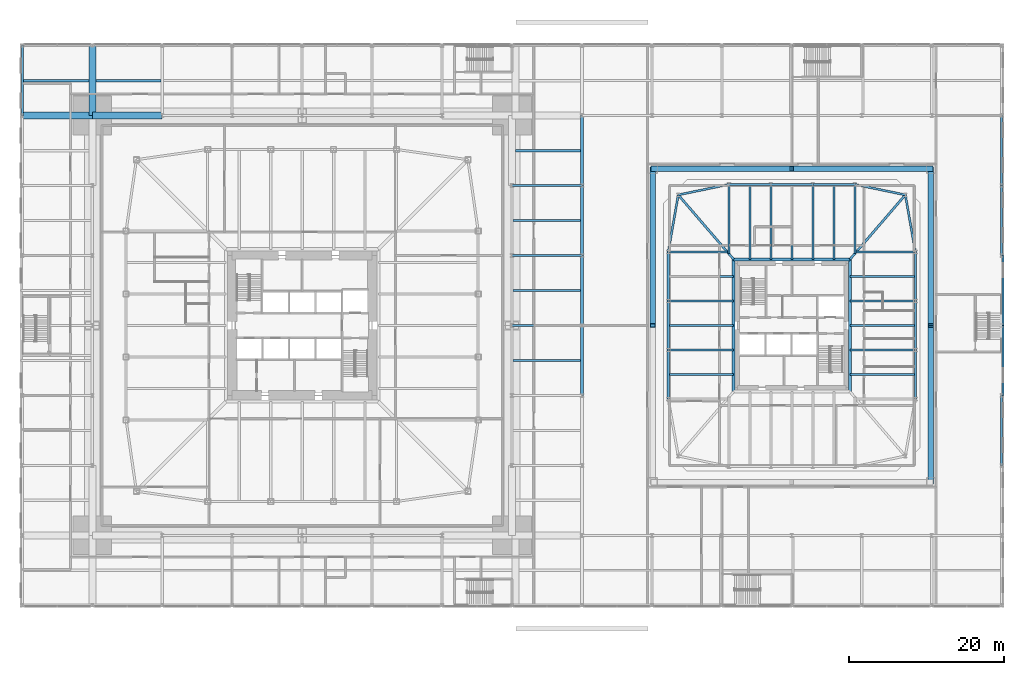
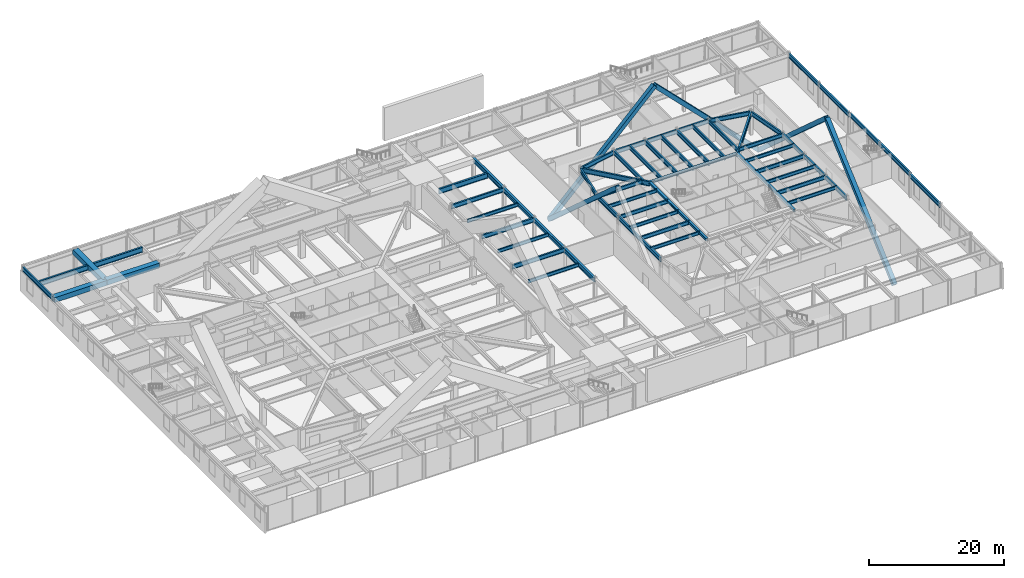
# One storey, part 13 of 32: 59 beams, 5 members.
"""IFC4 building model written with IfcOpenShell, lengths in metres."""

from ifc_helpers import new_model, si_unit, direction, frame, origin, origin_2d, place, context, subcontext, project, spatial, hollow_rectangle, i_section, extrude, material, material_profile, profile_set, type_object, element, save


model = new_model("IFC4")

# Units and contexts
model_context = context("Model", 3, precision=1e-05, world=origin(), true_north=direction((0.0, 1.0)))
body_context = subcontext(model_context, "Body", "Model", "MODEL_VIEW")
ifc_project = project(units=[si_unit("LENGTHUNIT", "METRE"), si_unit("AREAUNIT", "SQUARE_METRE"), si_unit("VOLUMEUNIT", "CUBIC_METRE"), si_unit("PLANEANGLEUNIT", "RADIAN"), si_unit("MASSUNIT", "GRAM", prefix="KILO")], contexts=[model_context])

# Site, building, storey
site_placement = place(None, origin())
site = spatial("IfcSite", under=ifc_project, at=site_placement, CompositionType="ELEMENT")
building_placement = place(site_placement, origin())
building = spatial("IfcBuilding", under=site, at=building_placement, Name="Iwan Alto Co-Living Towers", CompositionType="ELEMENT")
storey_placement = place(building_placement, frame((0.0, 0.0, 6.0)))
storey = spatial("IfcBuildingStorey", under=building, at=storey_placement, Name="L01", CompositionType="ELEMENT", Elevation=6.0)

# Beams
ifc_material_1 = material(Name="Steel ASTM A992 Gr 50", Category="steel")
ifc_material_profile_1 = material_profile(ifc_material_1, i_section(OverallWidth=0.2666015625, OverallDepth=0.76953125, WebThickness=0.015625, FlangeThickness=0.025390625, at=origin_2d()), Name="W30X132")
ifc_profile_set_1 = profile_set([ifc_material_profile_1], Name="Steel ASTM A992 Gr 50")
beam_type_1 = type_object("IfcBeamType", Name="PODIUM BEAM W30X132", PredefinedType="BEAM", material=ifc_profile_set_1)
for number, where, z_axis, x_axis, name in (
    (1, (-36.0, 27.0, 3.865234375), (0.0, 1.0, 0.0), (-1.0, 0.0, 0.0), "Podium beam 1/H-1/I L02"),
    (2, (27.0, 0.0, 3.865234375), (1.0, 0.0, 0.0), (0.0, 1.0, 0.0), "Podium beam 8/E-9/E L02"),
    (3, (27.0, 9.0, 3.865234375), (1.0, 0.0, 0.0), (0.0, 1.0, 0.0), "Podium beam 8/F-9/F L02"),
    (4, (27.0, 18.0, 3.865234375), (1.0, 0.0, 0.0), (0.0, 1.0, 0.0), "Podium beam 8/G-9/G L02"),
    (5, (90.0, -18.0, 3.865234375), (0.0, 1.0, 0.0), (-1.0, 0.0, 0.0), "Podium beam 15/C-15/D L02"),
    (6, (90.1533203125, -9.0, 3.865234375), (0.0, 1.0, 0.0), (-1.0, 0.0, 0.0), "Podium beam 15/D-15/E L02"),
    (7, (90.1533203125, 0.0, 3.865234375), (0.0, 1.0, 0.0), (-1.0, 0.0, 0.0), "Podium beam 15/E-15/F L02"),
    (8, (90.0, 9.0, 3.865234375), (0.0, 1.0, 0.0), (-1.0, 0.0, 0.0), "Podium beam 15/F-15/G L02"),
    (9, (90.0, 18.0, 3.865234375), (0.0, 1.0, 0.0), (-1.0, 0.0, 0.0), "Podium beam 15/G-15/H L02"),
):
    element("IfcBeam", number, at=place(storey_placement, frame(where, z_axis=z_axis, x_axis=x_axis)), inside=storey, type_object=beam_type_1, Name=name, PredefinedType="BEAM", context=body_context, shape_type="SweptSolid", body=[
        extrude(i_section(OverallWidth=0.2666015625, OverallDepth=0.76953125, WebThickness=0.015625, FlangeThickness=0.025390625, at=origin_2d()), origin(), (0.0, 0.0, 1.0), 9.0),
    ])
ifc_material_2 = material(Name="Steel ASTM A992 Gr 50", Category="steel")
ifc_material_profile_2 = material_profile(ifc_material_2, i_section(OverallWidth=0.381103515625, OverallDepth=0.772216796875, WebThickness=0.0166015625, FlangeThickness=0.027099609375, at=origin_2d()), Name="W30X173")
ifc_profile_set_2 = profile_set([ifc_material_profile_2], Name="Steel ASTM A992 Gr 50")
beam_type_2 = type_object("IfcBeamType", Name="PODIUM JOINT BEAM W30X173", PredefinedType="BEAM", material=ifc_profile_set_2)
for number, where, z_axis, x_axis, name in (
    (10, (36.0, -9.0, 3.864013671875), (0.0, 1.0, 0.0), (-1.0, 0.0, 0.0), "Podium beam 9/D-9/E L02"),
    (11, (36.0, 0.0, 3.864013671875), (0.0, 1.0, 0.0), (-1.0, 0.0, 0.0), "Podium beam 9/E-9/F L02"),
    (12, (36.0, 9.0, 3.864013671875), (0.0, 1.0, 0.0), (-1.0, 0.0, 0.0), "Podium beam 9/F-9/G L02"),
    (13, (36.0, 18.0, 3.864013671875), (0.0, 1.0, 0.0), (-1.0, 0.0, 0.0), "Podium beam 9/G-9/H L02"),
):
    element("IfcBeam", number, at=place(storey_placement, frame(where, z_axis=z_axis, x_axis=x_axis)), inside=storey, type_object=beam_type_2, Name=name, PredefinedType="BEAM", context=body_context, shape_type="SweptSolid", body=[
        extrude(i_section(OverallWidth=0.381103515625, OverallDepth=0.772216796875, WebThickness=0.0166015625, FlangeThickness=0.027099609375, at=origin_2d()), origin(), (0.0, 0.0, 1.0), 9.0),
    ])
ifc_material_3 = material(Name="Steel ASTM A992 Gr 50", Category="steel")
ifc_material_profile_3 = material_profile(ifc_material_3, i_section(OverallWidth=0.307373046875, OverallDepth=0.927001953125, WebThickness=0.01953125, FlangeThickness=0.031982421875, at=origin_2d()), Name="W36X194")
ifc_profile_set_3 = profile_set([ifc_material_profile_3], Name="Steel ASTM A992 Gr 50")
beam_type_3 = type_object("IfcBeamType", Name="PODIUM PIER BAY SECONDARY BEAM W36X194", PredefinedType="JOIST", material=ifc_profile_set_3)
for number, where, z_axis, x_axis, name in (
    (14, (-35.86669921875, 31.5, 3.786376953125), (1.0, 0.0, 0.0), (0.0, 1.0, 0.0), "Podium secondary beam 1/H L02"),
    (15, (-26.550048828125, 31.5, 3.786376953125), (1.0, 0.0, 0.0), (0.0, 1.0, 0.0), "Podium secondary beam 2/H L02"),
):
    element("IfcBeam", number, at=place(storey_placement, frame(where, z_axis=z_axis, x_axis=x_axis)), inside=storey, type_object=beam_type_3, Name=name, PredefinedType="JOIST", context=body_context, shape_type="SweptSolid", body=[
        extrude(i_section(OverallWidth=0.307373046875, OverallDepth=0.927001953125, WebThickness=0.01953125, FlangeThickness=0.031982421875, at=origin_2d()), origin(), (0.0, 0.0, 1.0), 8.416748046875),
    ])
beam_1_placement = place(storey_placement, frame((27.449951171875, 22.5, 3.786376953125), z_axis=(1.0, 0.0, 0.0), x_axis=(0.0, 1.0, 0.0)))
element("IfcBeam", 16, at=beam_1_placement, inside=storey, type_object=beam_type_3, Name="Podium secondary beam 8/G L02", PredefinedType="JOIST", context=body_context, shape_type="SweptSolid", body=[
    extrude(i_section(OverallWidth=0.307373046875, OverallDepth=0.927001953125, WebThickness=0.01953125, FlangeThickness=0.031982421875, at=origin_2d()), origin(), (0.0, 0.0, 1.0), 8.359619140625),
])
ifc_material_4 = material(Name="Steel ASTM A572 Gr 50", Category="steel")
ifc_material_profile_4 = material_profile(ifc_material_4, hollow_rectangle(XDim=0.89990234375, YDim=0.89990234375, WallThickness=0.06005859375, at=origin_2d()), Name="BOX 900X900X60")
ifc_profile_set_4 = profile_set([ifc_material_profile_4], Name="Steel ASTM A572 Gr 50")
beam_type_4 = type_object("IfcBeamType", Name="PODIUM PIER BEAM BOX 900X900X60", PredefinedType="BEAM", material=ifc_profile_set_4)
for number, where, z_axis, x_axis, name in (
    (17, (-36.0, 27.0, 3.800048828125), (1.0, 0.0, 0.0), (0.0, 1.0, 0.0), "Podium beam 1/H-2/H L02"),
    (18, (-27.0, 27.0, 3.800048828125), (1.0, 0.0, 0.0), (0.0, 1.0, 0.0), "Podium beam 2/H-3/H L02"),
    (19, (-27.0, 27.0, 3.800048828125), (0.0, 1.0, 0.0), (-1.0, 0.0, 0.0), "Podium beam 2/H-2/I L02"),
):
    element("IfcBeam", number, at=place(storey_placement, frame(where, z_axis=z_axis, x_axis=x_axis)), inside=storey, type_object=beam_type_4, Name=name, PredefinedType="BEAM", context=body_context, shape_type="SweptSolid", body=[
        extrude(hollow_rectangle(XDim=0.89990234375, YDim=0.89990234375, WallThickness=0.06005859375, at=origin_2d()), origin(), (0.0, 0.0, 1.0), 9.0),
    ])
ifc_material_5 = material(Name="Steel ASTM A992 Gr 50", Category="steel")
ifc_material_profile_5 = material_profile(ifc_material_5, i_section(OverallWidth=0.23046875, OverallDepth=0.6171875, WebThickness=0.01318359375, FlangeThickness=0.022216796875, at=origin_2d()), Name="W24X94")
ifc_profile_set_5 = profile_set([ifc_material_profile_5], Name="Steel ASTM A992 Gr 50")
beam_type_5 = type_object("IfcBeamType", Name="PODIUM SECONDARY BEAM W24X94", PredefinedType="JOIST", material=ifc_profile_set_5)
for number, where, z_axis, x_axis, name in (
    (20, (27.13330078125, -4.5, 3.94140625), (1.0, 0.0, 0.0), (0.0, 1.0, 0.0), "Podium secondary beam 8/D L02"),
    (21, (27.13330078125, 4.5, 3.94140625), (1.0, 0.0, 0.0), (0.0, 1.0, 0.0), "Podium secondary beam 8/E L02"),
    (22, (27.13330078125, 13.5, 3.94140625), (1.0, 0.0, 0.0), (0.0, 1.0, 0.0), "Podium secondary beam 8/F L02"),
):
    element("IfcBeam", number, at=place(storey_placement, frame(where, z_axis=z_axis, x_axis=x_axis)), inside=storey, type_object=beam_type_5, Name=name, PredefinedType="JOIST", context=body_context, shape_type="SweptSolid", body=[
        extrude(i_section(OverallWidth=0.23046875, OverallDepth=0.6171875, WebThickness=0.01318359375, FlangeThickness=0.022216796875, at=origin_2d()), origin(), (0.0, 0.0, 1.0), 8.67626953125),
    ])
ifc_material_6 = material(Name="Steel ASTM A992 Gr 50", Category="steel")
ifc_material_profile_6 = material_profile(ifc_material_6, i_section(OverallWidth=0.40380859375, OverallDepth=0.406494140625, WebThickness=0.027099609375, FlangeThickness=0.043701171875, at=origin_2d()), Name="W14X233")
ifc_profile_set_6 = profile_set([ifc_material_profile_6], Name="Steel ASTM A992 Gr 50")
beam_type_6 = type_object("IfcBeamType", Name="T2 CORE LEDGER BEAM W14X233", PredefinedType="BEAM", material=ifc_profile_set_6)
beam_2_placement = place(storey_placement, frame((70.501953125, -8.534912109375, 4.046875), z_axis=(0.0, 1.0, 0.0), x_axis=(-1.0, 0.0, 0.0)))
element("IfcBeam", 23, at=beam_2_placement, inside=storey, type_object=beam_type_6, Name="T2 core ledger beam E L02", PredefinedType="BEAM", context=body_context, shape_type="SweptSolid", body=[
    extrude(i_section(OverallWidth=0.40380859375, OverallDepth=0.406494140625, WebThickness=0.027099609375, FlangeThickness=0.043701171875, at=origin_2d()), origin(), (0.0, 0.0, 1.0), 17.06982421875),
])
beam_3_placement = place(storey_placement, frame((70.4736328125, 8.501953125, 4.046875), z_axis=(-1.0, 0.0, 0.0), x_axis=(0.0, -1.0, 0.0)))
element("IfcBeam", 24, at=beam_3_placement, inside=storey, type_object=beam_type_6, Name="T2 core ledger beam N L02", PredefinedType="BEAM", context=body_context, shape_type="SweptSolid", body=[
    extrude(i_section(OverallWidth=0.40380859375, OverallDepth=0.406494140625, WebThickness=0.027099609375, FlangeThickness=0.043701171875, at=origin_2d()), origin(), (0.0, 0.0, 1.0), 14.947265625),
])
beam_4_placement = place(storey_placement, frame((55.498046875, 8.534912109375, 4.046875), z_axis=(0.0, -1.0, 0.0), x_axis=(1.0, 0.0, 0.0)))
element("IfcBeam", 25, at=beam_4_placement, inside=storey, type_object=beam_type_6, Name="T2 core ledger beam W L02", PredefinedType="BEAM", context=body_context, shape_type="SweptSolid", body=[
    extrude(i_section(OverallWidth=0.40380859375, OverallDepth=0.406494140625, WebThickness=0.027099609375, FlangeThickness=0.043701171875, at=origin_2d()), origin(), (0.0, 0.0, 1.0), 17.06982421875),
])
ifc_material_7 = material(Name="Steel ASTM A992 Gr 50", Category="steel")
ifc_material_profile_7 = material_profile(ifc_material_7, i_section(OverallWidth=0.2919921875, OverallDepth=0.8408203125, WebThickness=0.0146484375, FlangeThickness=0.021728515625, at=origin_2d()), Name="W33X130")
ifc_profile_set_7 = profile_set([ifc_material_profile_7], Name="Steel ASTM A992 Gr 50")
beam_type_7 = type_object("IfcBeamType", Name="T2 CORNER GIRDER W33X130", PredefinedType="BEAM", material=ifc_profile_set_7)
for number, where, z_axis, x_axis, name in (
    (26, (77.606201171875, 16.797119140625, 3.82958984375), (-0.651972301827, -0.758242782788, 0.0), (0.758242782788, -0.651972301827, 0.0), "T2 corner girder CNE L02"),
    (27, (48.393798828125, 16.797119140625, 3.82958984375), (0.651972301827, -0.758242782788, 0.0), (0.758242782788, 0.651972301827, 0.0), "T2 corner girder CNW L02"),
):
    element("IfcBeam", number, at=place(storey_placement, frame(where, z_axis=z_axis, x_axis=x_axis)), inside=storey, type_object=beam_type_7, Name=name, PredefinedType="BEAM", context=body_context, shape_type="SweptSolid", body=[
        extrude(i_section(OverallWidth=0.2919921875, OverallDepth=0.8408203125, WebThickness=0.0146484375, FlangeThickness=0.021728515625, at=origin_2d()), origin(), (0.0, 0.0, 1.0), 10.93994140625),
    ])
ifc_material_8 = material(Name="Steel ASTM A992 Gr 50", Category="steel")
ifc_material_profile_8 = material_profile(ifc_material_8, i_section(OverallWidth=0.2666015625, OverallDepth=0.761962890625, WebThickness=0.014404296875, FlangeThickness=0.021484375, at=origin_2d()), Name="W30X116")
ifc_profile_set_8 = profile_set([ifc_material_profile_8], Name="Steel ASTM A992 Gr 50")
beam_type_8 = type_object("IfcBeamType", Name="T2 EDGE BEAM W30X116", PredefinedType="BEAM", material=ifc_profile_set_8)
beam_5_placement = place(storey_placement, frame((78.89990234375, -9.449951171875, 3.868896484375), z_axis=(0.0, 1.0, 0.0), x_axis=(-1.0, 0.0, 0.0)))
element("IfcBeam", 28, at=beam_5_placement, inside=storey, type_object=beam_type_8, Name="T2 edge beam E1 L02", PredefinedType="BEAM", context=body_context, shape_type="SweptSolid", body=[
    extrude(i_section(OverallWidth=0.2666015625, OverallDepth=0.761962890625, WebThickness=0.014404296875, FlangeThickness=0.021484375, at=origin_2d()), origin(), (0.0, 0.0, 1.0), 6.300048828125),
])
beam_6_placement = place(storey_placement, frame((78.89990234375, -3.14990234375, 3.868896484375), z_axis=(0.0, 1.0, 0.0), x_axis=(-1.0, 0.0, 0.0)))
element("IfcBeam", 29, at=beam_6_placement, inside=storey, type_object=beam_type_8, Name="T2 edge beam E2 L02", PredefinedType="BEAM", context=body_context, shape_type="SweptSolid", body=[
    extrude(i_section(OverallWidth=0.2666015625, OverallDepth=0.761962890625, WebThickness=0.014404296875, FlangeThickness=0.021484375, at=origin_2d()), origin(), (0.0, 0.0, 1.0), 6.2998046875),
])
beam_7_placement = place(storey_placement, frame((78.89990234375, 3.14990234375, 3.868896484375), z_axis=(0.0, 1.0, 0.0), x_axis=(-1.0, 0.0, 0.0)))
element("IfcBeam", 30, at=beam_7_placement, inside=storey, type_object=beam_type_8, Name="T2 edge beam E3 L02", PredefinedType="BEAM", context=body_context, shape_type="SweptSolid", body=[
    extrude(i_section(OverallWidth=0.2666015625, OverallDepth=0.761962890625, WebThickness=0.014404296875, FlangeThickness=0.021484375, at=origin_2d()), origin(), (0.0, 0.0, 1.0), 6.300048828125),
])
beam_8_placement = place(storey_placement, frame((78.89990234375, 9.449951171875, 3.868896484375), z_axis=(-0.173413807283, 0.98484905008, 0.0), x_axis=(-0.98484905008, -0.173413807283, 0.0)))
element("IfcBeam", 31, at=beam_8_placement, inside=storey, type_object=beam_type_8, Name="T2 edge beam E4 L02", PredefinedType="BEAM", context=body_context, shape_type="SweptSolid", body=[
    extrude(i_section(OverallWidth=0.2666015625, OverallDepth=0.761962890625, WebThickness=0.014404296875, FlangeThickness=0.021484375, at=origin_2d()), origin(), (0.0, 0.0, 1.0), 7.460205078125),
])
beam_9_placement = place(storey_placement, frame((77.606201171875, 16.797119140625, 3.868896484375), z_axis=(-0.979060119423, 0.203571320564, 0.0), x_axis=(-0.203571320564, -0.979060119423, 0.0)))
element("IfcBeam", 32, at=beam_9_placement, inside=storey, type_object=beam_type_8, Name="T2 edge beam CNE L02", PredefinedType="BEAM", context=body_context, shape_type="SweptSolid", body=[
    extrude(i_section(OverallWidth=0.2666015625, OverallDepth=0.761962890625, WebThickness=0.014404296875, FlangeThickness=0.021484375, at=origin_2d()), origin(), (0.0, 0.0, 1.0), 6.645263671875),
])
beam_10_placement = place(storey_placement, frame((71.10009765625, 18.14990234375, 3.868896484375), z_axis=(-1.0, 0.0, 0.0), x_axis=(0.0, -1.0, 0.0)))
element("IfcBeam", 33, at=beam_10_placement, inside=storey, type_object=beam_type_8, Name="T2 edge beam N1 L02", PredefinedType="BEAM", context=body_context, shape_type="SweptSolid", body=[
    extrude(i_section(OverallWidth=0.2666015625, OverallDepth=0.761962890625, WebThickness=0.014404296875, FlangeThickness=0.021484375, at=origin_2d()), origin(), (0.0, 0.0, 1.0), 5.400146484375),
])
beam_11_placement = place(storey_placement, frame((65.699951171875, 18.14990234375, 3.868896484375), z_axis=(-1.0, 0.0, 0.0), x_axis=(0.0, -1.0, 0.0)))
element("IfcBeam", 34, at=beam_11_placement, inside=storey, type_object=beam_type_8, Name="T2 edge beam N2 L02", PredefinedType="BEAM", context=body_context, shape_type="SweptSolid", body=[
    extrude(i_section(OverallWidth=0.2666015625, OverallDepth=0.761962890625, WebThickness=0.014404296875, FlangeThickness=0.021484375, at=origin_2d()), origin(), (0.0, 0.0, 1.0), 5.39990234375),
])
beam_12_placement = place(storey_placement, frame((60.300048828125, 18.14990234375, 3.868896484375), z_axis=(-1.0, 0.0, 0.0), x_axis=(0.0, -1.0, 0.0)))
element("IfcBeam", 35, at=beam_12_placement, inside=storey, type_object=beam_type_8, Name="T2 edge beam N3 L02", PredefinedType="BEAM", context=body_context, shape_type="SweptSolid", body=[
    extrude(i_section(OverallWidth=0.2666015625, OverallDepth=0.761962890625, WebThickness=0.014404296875, FlangeThickness=0.021484375, at=origin_2d()), origin(), (0.0, 0.0, 1.0), 5.400146484375),
])
beam_13_placement = place(storey_placement, frame((54.89990234375, 18.14990234375, 3.868896484375), z_axis=(-0.979060119423, -0.203571320564, 0.0), x_axis=(0.203571320564, -0.979060119423, 0.0)))
element("IfcBeam", 36, at=beam_13_placement, inside=storey, type_object=beam_type_8, Name="T2 edge beam N4 L02", PredefinedType="BEAM", context=body_context, shape_type="SweptSolid", body=[
    extrude(i_section(OverallWidth=0.2666015625, OverallDepth=0.761962890625, WebThickness=0.014404296875, FlangeThickness=0.021484375, at=origin_2d()), origin(), (0.0, 0.0, 1.0), 6.645263671875),
])
beam_14_placement = place(storey_placement, frame((48.393798828125, 16.797119140625, 3.868896484375), z_axis=(-0.173413807283, -0.98484905008, 0.0), x_axis=(0.98484905008, -0.173413807283, 0.0)))
element("IfcBeam", 37, at=beam_14_placement, inside=storey, type_object=beam_type_8, Name="T2 edge beam CNW L02", PredefinedType="BEAM", context=body_context, shape_type="SweptSolid", body=[
    extrude(i_section(OverallWidth=0.2666015625, OverallDepth=0.761962890625, WebThickness=0.014404296875, FlangeThickness=0.021484375, at=origin_2d()), origin(), (0.0, 0.0, 1.0), 7.460205078125),
])
beam_15_placement = place(storey_placement, frame((47.10009765625, 9.449951171875, 3.868896484375), z_axis=(0.0, -1.0, 0.0), x_axis=(1.0, 0.0, 0.0)))
element("IfcBeam", 38, at=beam_15_placement, inside=storey, type_object=beam_type_8, Name="T2 edge beam W1 L02", PredefinedType="BEAM", context=body_context, shape_type="SweptSolid", body=[
    extrude(i_section(OverallWidth=0.2666015625, OverallDepth=0.761962890625, WebThickness=0.014404296875, FlangeThickness=0.021484375, at=origin_2d()), origin(), (0.0, 0.0, 1.0), 6.300048828125),
])
beam_16_placement = place(storey_placement, frame((47.10009765625, 3.14990234375, 3.868896484375), z_axis=(0.0, -1.0, 0.0), x_axis=(1.0, 0.0, 0.0)))
element("IfcBeam", 39, at=beam_16_placement, inside=storey, type_object=beam_type_8, Name="T2 edge beam W2 L02", PredefinedType="BEAM", context=body_context, shape_type="SweptSolid", body=[
    extrude(i_section(OverallWidth=0.2666015625, OverallDepth=0.761962890625, WebThickness=0.014404296875, FlangeThickness=0.021484375, at=origin_2d()), origin(), (0.0, 0.0, 1.0), 6.2998046875),
])
beam_17_placement = place(storey_placement, frame((47.10009765625, -3.14990234375, 3.868896484375), z_axis=(0.0, -1.0, 0.0), x_axis=(1.0, 0.0, 0.0)))
element("IfcBeam", 40, at=beam_17_placement, inside=storey, type_object=beam_type_8, Name="T2 edge beam W3 L02", PredefinedType="BEAM", context=body_context, shape_type="SweptSolid", body=[
    extrude(i_section(OverallWidth=0.2666015625, OverallDepth=0.761962890625, WebThickness=0.014404296875, FlangeThickness=0.021484375, at=origin_2d()), origin(), (0.0, 0.0, 1.0), 6.300048828125),
])

# Members
ifc_material_9 = material(Name="Steel ASTM A572 Gr 50", Category="steel")
ifc_material_profile_9 = material_profile(ifc_material_9, hollow_rectangle(XDim=0.699951171875, YDim=0.699951171875, WallThickness=0.044921875, at=origin_2d()), Name="BOX 700X700X45")
ifc_profile_set_9 = profile_set([ifc_material_profile_9], Name="Steel ASTM A572 Gr 50")
member_type = type_object("IfcMemberType", Name="T2 MEGA BRACE BOX 700X700X45", PredefinedType="BRACE", material=ifc_profile_set_9)
for number, where, z_axis, x_axis, name in (
    (41, (80.89990234375, -20.14990234375, -6.0), (0.0, 0.745771862138, 0.666201418224), (-1.0, 0.0, 0.0), "T2 mega brace Z1A E 1 lower"),
    (42, (80.89990234375, 20.14990234375, -6.0), (0.0, -0.745771862138, 0.666201418224), (1.0, 0.0, 0.0), "T2 mega brace Z1A E 2 lower"),
):
    element("IfcMember", number, at=place(storey_placement, frame(where, z_axis=z_axis, x_axis=x_axis)), inside=storey, type_object=member_type, Name=name, PredefinedType="BRACE", context=body_context, shape_type="SweptSolid", body=[
        extrude(hollow_rectangle(XDim=0.699951171875, YDim=0.699951171875, WallThickness=0.044921875, at=origin_2d()), origin(), (0.0, 0.0, 1.0), 27.018798828125),
    ])
for number, where, z_axis, x_axis, name in (
    (43, (80.89990234375, 20.14990234375, -6.0), (-0.705132454608, 0.0, 0.709075610537), (0.0, -1.0, 0.0), "T2 mega brace Z1A N 1 lower"),
    (44, (45.10009765625, 20.14990234375, -6.0), (0.705132454608, 0.0, 0.709075610537), (0.0, 1.0, 0.0), "T2 mega brace Z1A N 2 lower"),
):
    element("IfcMember", number, at=place(storey_placement, frame(where, z_axis=z_axis, x_axis=x_axis)), inside=storey, type_object=member_type, Name=name, PredefinedType="BRACE", context=body_context, shape_type="SweptSolid", body=[
        extrude(hollow_rectangle(XDim=0.699951171875, YDim=0.699951171875, WallThickness=0.044921875, at=origin_2d()), origin(), (0.0, 0.0, 1.0), 25.38525390625),
    ])
member_placement = place(storey_placement, frame((45.10009765625, 20.14990234375, -6.0), z_axis=(0.0, -0.745771862138, 0.666201418224), x_axis=(1.0, 0.0, 0.0)))
element("IfcMember", 45, at=member_placement, inside=storey, type_object=member_type, Name="T2 mega brace Z1A W 1 lower", PredefinedType="BRACE", context=body_context, shape_type="SweptSolid", body=[
    extrude(hollow_rectangle(XDim=0.699951171875, YDim=0.699951171875, WallThickness=0.044921875, at=origin_2d()), origin(), (0.0, 0.0, 1.0), 27.018798828125),
])

# Beams
ifc_material_10 = material(Name="Steel ASTM A992 Gr 50", Category="steel")
ifc_material_profile_10 = material_profile(ifc_material_10, i_section(OverallWidth=0.25390625, OverallDepth=0.683349609375, WebThickness=0.012451171875, FlangeThickness=0.018798828125, at=origin_2d()), Name="W27X94")
ifc_profile_set_10 = profile_set([ifc_material_profile_10], Name="Steel ASTM A992 Gr 50")
beam_type_9 = type_object("IfcBeamType", Name="T2 RADIAL BEAM W27X94", PredefinedType="BEAM", material=ifc_profile_set_10)
for number, where, z_axis, x_axis, name in (
    (46, (78.89990234375, -3.14990234375, 3.908447265625), (-1.0, 0.0, 0.0), (0.0, -1.0, 0.0), "T2 radial beam E2 L02"),
    (47, (78.89990234375, 3.14990234375, 3.908447265625), (-1.0, 0.0, 0.0), (0.0, -1.0, 0.0), "T2 radial beam E3 L02"),
):
    element("IfcBeam", number, at=place(storey_placement, frame(where, z_axis=z_axis, x_axis=x_axis)), inside=storey, type_object=beam_type_9, Name=name, PredefinedType="BEAM", context=body_context, shape_type="SweptSolid", body=[
        extrude(i_section(OverallWidth=0.25390625, OverallDepth=0.683349609375, WebThickness=0.012451171875, FlangeThickness=0.018798828125, at=origin_2d()), origin(), (0.0, 0.0, 1.0), 8.39794921875),
    ])
beam_18_placement = place(storey_placement, frame((78.89990234375, 9.449951171875, 3.908447265625), z_axis=(-1.0, 0.0, 0.0), x_axis=(0.0, -1.0, 0.0)))
element("IfcBeam", 48, at=beam_18_placement, inside=storey, type_object=beam_type_9, Name="T2 radial beam E4 L02", PredefinedType="BEAM", context=body_context, shape_type="SweptSolid", body=[
    extrude(i_section(OverallWidth=0.25390625, OverallDepth=0.683349609375, WebThickness=0.012451171875, FlangeThickness=0.018798828125, at=origin_2d()), origin(), (0.0, 0.0, 1.0), 7.611083984375),
])
for number, where, z_axis, x_axis, name in (
    (49, (71.10009765625, 18.14990234375, 3.908447265625), (0.0, -1.0, 0.0), (1.0, 0.0, 0.0), "T2 radial beam N1 L02"),
    (50, (54.89990234375, 18.14990234375, 3.908447265625), (0.0, -1.0, 0.0), (1.0, 0.0, 0.0), "T2 radial beam N4 L02"),
):
    element("IfcBeam", number, at=place(storey_placement, frame(where, z_axis=z_axis, x_axis=x_axis)), inside=storey, type_object=beam_type_9, Name=name, PredefinedType="BEAM", context=body_context, shape_type="SweptSolid", body=[
        extrude(i_section(OverallWidth=0.25390625, OverallDepth=0.683349609375, WebThickness=0.012451171875, FlangeThickness=0.018798828125, at=origin_2d()), origin(), (0.0, 0.0, 1.0), 8.91943359375),
    ])
beam_19_placement = place(storey_placement, frame((47.10009765625, 9.449951171875, 3.908447265625), z_axis=(1.0, 0.0, 0.0), x_axis=(0.0, 1.0, 0.0)))
element("IfcBeam", 51, at=beam_19_placement, inside=storey, type_object=beam_type_9, Name="T2 radial beam W1 L02", PredefinedType="BEAM", context=body_context, shape_type="SweptSolid", body=[
    extrude(i_section(OverallWidth=0.25390625, OverallDepth=0.683349609375, WebThickness=0.012451171875, FlangeThickness=0.018798828125, at=origin_2d()), origin(), (0.0, 0.0, 1.0), 7.611083984375),
])
for number, where, z_axis, x_axis, name in (
    (52, (47.10009765625, 3.14990234375, 3.908447265625), (1.0, 0.0, 0.0), (0.0, 1.0, 0.0), "T2 radial beam W2 L02"),
    (53, (47.10009765625, -3.14990234375, 3.908447265625), (1.0, 0.0, 0.0), (0.0, 1.0, 0.0), "T2 radial beam W3 L02"),
):
    element("IfcBeam", number, at=place(storey_placement, frame(where, z_axis=z_axis, x_axis=x_axis)), inside=storey, type_object=beam_type_9, Name=name, PredefinedType="BEAM", context=body_context, shape_type="SweptSolid", body=[
        extrude(i_section(OverallWidth=0.25390625, OverallDepth=0.683349609375, WebThickness=0.012451171875, FlangeThickness=0.018798828125, at=origin_2d()), origin(), (0.0, 0.0, 1.0), 8.39794921875),
    ])
ifc_material_11 = material(Name="Steel ASTM A992 Gr 50", Category="steel")
ifc_material_profile_11 = material_profile(ifc_material_11, i_section(OverallWidth=0.2666015625, OverallDepth=0.761962890625, WebThickness=0.014404296875, FlangeThickness=0.021484375, at=origin_2d()), Name="W30X116")
ifc_profile_set_11 = profile_set([ifc_material_profile_11], Name="Steel ASTM A992 Gr 50")
beam_type_10 = type_object("IfcBeamType", Name="T2 RADIAL BEAM W30X116", PredefinedType="BEAM", material=ifc_profile_set_11)
for number, where, z_axis, x_axis, name in (
    (54, (65.699951171875, 18.14990234375, 3.868896484375), (0.0, -1.0, 0.0), (1.0, 0.0, 0.0), "T2 radial beam N2 L02"),
    (55, (60.300048828125, 18.14990234375, 3.868896484375), (0.0, -1.0, 0.0), (1.0, 0.0, 0.0), "T2 radial beam N3 L02"),
):
    element("IfcBeam", number, at=place(storey_placement, frame(where, z_axis=z_axis, x_axis=x_axis)), inside=storey, type_object=beam_type_10, Name=name, PredefinedType="BEAM", context=body_context, shape_type="SweptSolid", body=[
        extrude(i_section(OverallWidth=0.2666015625, OverallDepth=0.761962890625, WebThickness=0.014404296875, FlangeThickness=0.021484375, at=origin_2d()), origin(), (0.0, 0.0, 1.0), 9.64794921875),
    ])
ifc_material_12 = material(Name="Steel ASTM A992 Gr 50", Category="steel")
ifc_material_profile_12 = material_profile(ifc_material_12, i_section(OverallWidth=0.228271484375, OverallDepth=0.607177734375, WebThickness=0.01123046875, FlangeThickness=0.017333984375, at=origin_2d()), Name="W24X76")
ifc_profile_set_12 = profile_set([ifc_material_profile_12], Name="Steel ASTM A992 Gr 50")
beam_type_11 = type_object("IfcBeamType", Name="T2 SECONDARY BEAM W24X76", PredefinedType="JOIST", material=ifc_profile_set_12)
for number, where, z_axis, x_axis, name in (
    (56, (78.89990234375, -6.300048828125, 3.946533203125), (-1.0, 0.0, 0.0), (0.0, -1.0, 0.0), "T2 secondary beam E1 L02"),
    (57, (78.89990234375, 0.0, 3.946533203125), (-1.0, 0.0, 0.0), (0.0, -1.0, 0.0), "T2 secondary beam E2 L02"),
    (58, (78.89990234375, 6.300048828125, 3.946533203125), (-1.0, 0.0, 0.0), (0.0, -1.0, 0.0), "T2 secondary beam E3 L02"),
    (59, (47.10009765625, 6.300048828125, 3.946533203125), (1.0, 0.0, 0.0), (0.0, 1.0, 0.0), "T2 secondary beam W1 L02"),
    (60, (47.10009765625, 0.0, 3.946533203125), (1.0, 0.0, 0.0), (0.0, 1.0, 0.0), "T2 secondary beam W2 L02"),
    (61, (47.10009765625, -6.300048828125, 3.946533203125), (1.0, 0.0, 0.0), (0.0, 1.0, 0.0), "T2 secondary beam W3 L02"),
):
    element("IfcBeam", number, at=place(storey_placement, frame(where, z_axis=z_axis, x_axis=x_axis)), inside=storey, type_object=beam_type_11, Name=name, PredefinedType="JOIST", context=body_context, shape_type="SweptSolid", body=[
        extrude(i_section(OverallWidth=0.228271484375, OverallDepth=0.607177734375, WebThickness=0.01123046875, FlangeThickness=0.017333984375, at=origin_2d()), origin(), (0.0, 0.0, 1.0), 8.39794921875),
    ])
ifc_material_13 = material(Name="Steel ASTM A992 Gr 50", Category="steel")
ifc_material_profile_13 = material_profile(ifc_material_13, i_section(OverallWidth=0.25390625, OverallDepth=0.683349609375, WebThickness=0.012451171875, FlangeThickness=0.018798828125, at=origin_2d()), Name="W27X94")
ifc_profile_set_13 = profile_set([ifc_material_profile_13], Name="Steel ASTM A992 Gr 50")
beam_type_12 = type_object("IfcBeamType", Name="T2 SECONDARY BEAM W27X94", PredefinedType="JOIST", material=ifc_profile_set_13)
for number, where, z_axis, x_axis, name in (
    (62, (68.39990234375, 18.14990234375, 3.908447265625), (0.0, -1.0, 0.0), (1.0, 0.0, 0.0), "T2 secondary beam N1 L02"),
    (63, (63.0, 18.14990234375, 3.908447265625), (0.0, -1.0, 0.0), (1.0, 0.0, 0.0), "T2 secondary beam N2 L02"),
    (64, (57.60009765625, 18.14990234375, 3.908447265625), (0.0, -1.0, 0.0), (1.0, 0.0, 0.0), "T2 secondary beam N3 L02"),
):
    element("IfcBeam", number, at=place(storey_placement, frame(where, z_axis=z_axis, x_axis=x_axis)), inside=storey, type_object=beam_type_12, Name=name, PredefinedType="JOIST", context=body_context, shape_type="SweptSolid", body=[
        extrude(i_section(OverallWidth=0.25390625, OverallDepth=0.683349609375, WebThickness=0.012451171875, FlangeThickness=0.018798828125, at=origin_2d()), origin(), (0.0, 0.0, 1.0), 9.64794921875),
    ])

save(model, "model.ifc")
